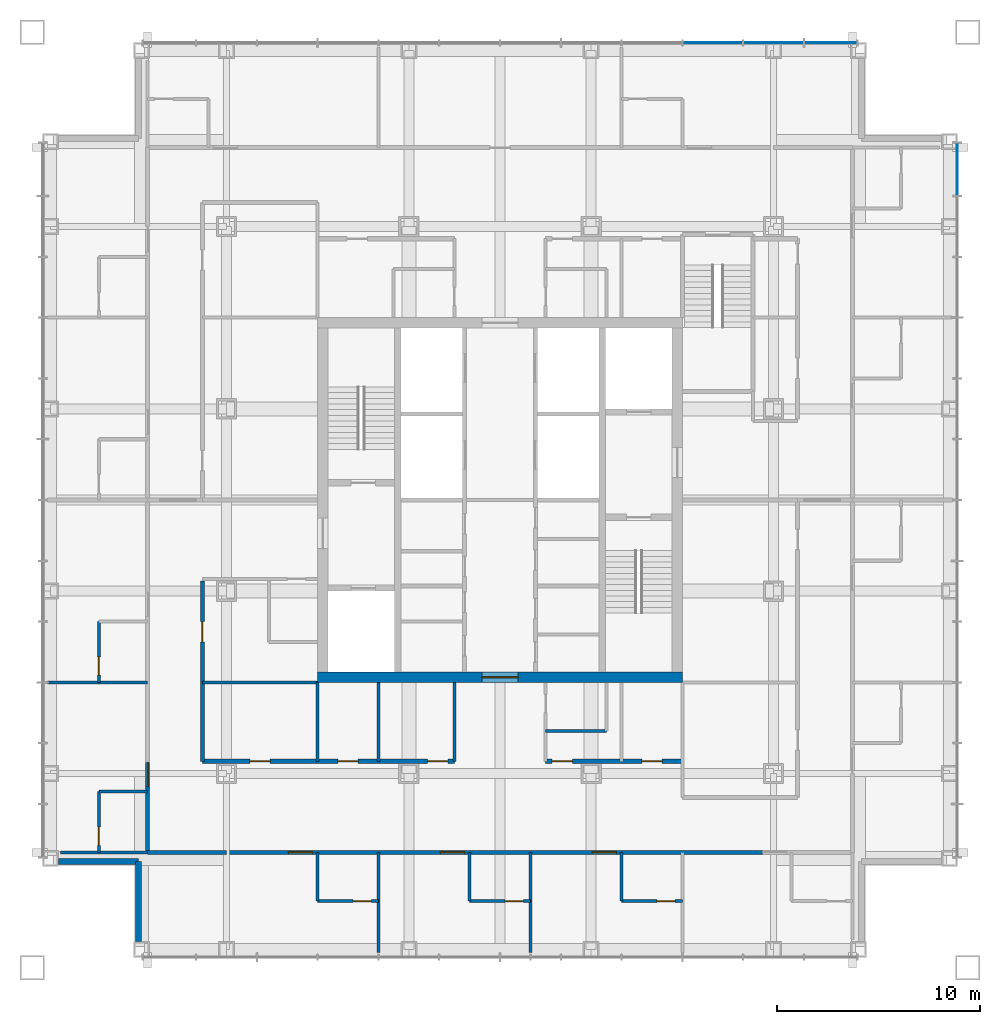
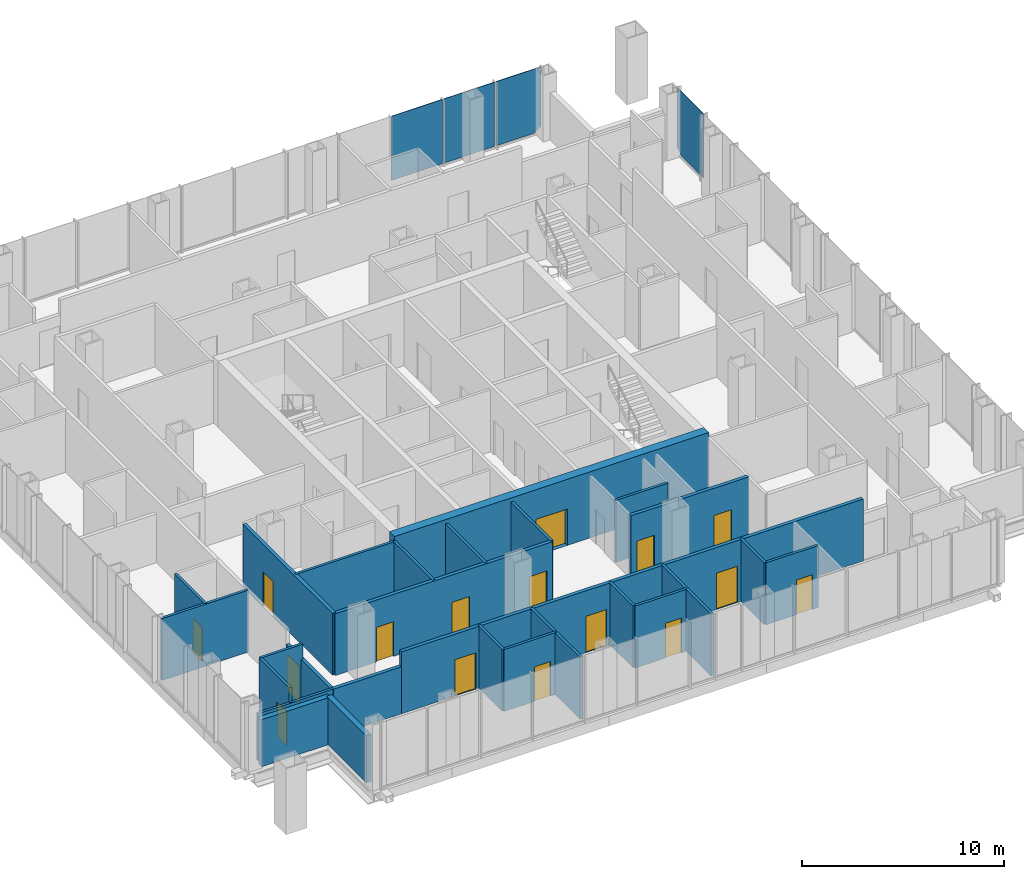
# One storey, part 6 of 11: 27 walls, 16 doors, 4 plates, 16 openings, 2 elements without a shape of their own.
"""IFC4 building model written with IfcOpenShell, lengths in metres."""

import ifcopenshell
import ifcopenshell.guid

model = None  # the IFC model being written
_history = None  # IfcOwnerHistory: only IFC2X3 demands one
_inside = {}  # id of a spatial element -> (the spatial element, [elements in it])
_under = {}  # id of a project, library or spatial element -> (it, [spatial elements below it])
_declared = {}  # id of a project -> (the project, [libraries it declares])
_typed = {}  # id of a type object -> (the type object, [elements of that type])
_made_of = {}  # id of a material, layer set ... -> (it, [elements and type objects made of it])


def new_model(schema):
    """Start an empty IFC model of exactly this schema.

    Asked for "IFC4X3", IfcOpenShell would pick the latest addendum, in which some entities
    have other attributes; the version numbers below select the first issue.
    IFC2X3 requires an IfcOwnerHistory on every rooted entity: one is made here for all.
    """
    global model, _history
    if schema == "IFC4X3":
        model = ifcopenshell.file(schema_version=(4, 3, 0, 0))
    else:
        model = ifcopenshell.file(schema=schema)
    _inside.clear()
    _under.clear()
    _declared.clear()
    _typed.clear()
    _made_of.clear()
    _history = None
    if model.schema == "IFC2X3":
        org = make("IfcOrganization", Name="unknown")
        user = make(
            "IfcPersonAndOrganization",
            ThePerson=make("IfcPerson", FamilyName="unknown"),
            TheOrganization=org,
        )
        app = make(
            "IfcApplication",
            ApplicationDeveloper=org,
            Version="unknown",
            ApplicationFullName="unknown",
            ApplicationIdentifier="unknown",
        )
        _history = make(
            "IfcOwnerHistory",
            OwningUser=user,
            OwningApplication=app,
            ChangeAction="ADDED",
            CreationDate=0,
        )
    return model


def make(cls, **values):
    """One entity of the class cls with the attributes given. An attribute that is None is left unset."""
    return model.create_entity(
        cls, **{name: value for name, value in values.items() if value is not None}
    )


def rooted(cls, **values):
    """An entity with a GlobalId (a new one), such as an element, a storey or a relation."""
    return make(cls, GlobalId=ifcopenshell.guid.new(), OwnerHistory=_history, **values)


def si_unit(unit_type, name, prefix=None):
    """IfcSIUnit, for example si_unit("LENGTHUNIT", "METRE", prefix="MILLI")."""
    return make("IfcSIUnit", UnitType=unit_type, Prefix=prefix, Name=name)


def assignment(units):
    """IfcUnitAssignment: the units of a project."""
    return None if units is None else make("IfcUnitAssignment", Units=units)


def point(xyz):
    """IfcCartesianPoint."""
    return None if xyz is None else make("IfcCartesianPoint", Coordinates=xyz)


def direction(xyz):
    """IfcDirection."""
    return None if xyz is None else make("IfcDirection", DirectionRatios=xyz)


def frame(location, z_axis=None, x_axis=None):
    """IfcAxis2Placement3D, a coordinate frame: its origin and axes. An axis left out is left unset."""
    return make(
        "IfcAxis2Placement3D",
        Location=point(location),
        Axis=direction(z_axis),
        RefDirection=direction(x_axis),
    )


def frame_2d(location, x_axis=None):
    """IfcAxis2Placement2D, a coordinate frame in the plane: its origin and x axis."""
    return make(
        "IfcAxis2Placement2D", Location=point(location), RefDirection=direction(x_axis)
    )


def origin():
    """The frame at (0, 0, 0) with its axes left unset."""
    return frame((0.0, 0.0, 0.0))


def origin_2d():
    """The frame at (0, 0) in the plane with its x axis left unset."""
    return frame_2d((0.0, 0.0))


def place(relative_to, where):
    """IfcLocalPlacement: puts the frame where relative to a parent placement (None: the world)."""
    return make(
        "IfcLocalPlacement", PlacementRelTo=relative_to, RelativePlacement=where
    )


def context(
    kind, dimensions, precision=None, world=None, true_north=None, identifier=None
):
    """IfcGeometricRepresentationContext, for example the 3D "Model" context."""
    return make(
        "IfcGeometricRepresentationContext",
        ContextIdentifier=identifier,
        ContextType=kind,
        CoordinateSpaceDimension=dimensions,
        Precision=precision,
        WorldCoordinateSystem=world,
        TrueNorth=true_north,
    )


def subcontext(parent, identifier, kind, view, scale=None):
    """IfcGeometricRepresentationSubContext, for example "Body" below "Model"."""
    return make(
        "IfcGeometricRepresentationSubContext",
        ContextIdentifier=identifier,
        ContextType=kind,
        ParentContext=parent,
        TargetScale=scale,
        TargetView=view,
    )


def project(units=None, contexts=None):
    """IfcProject with its units and contexts."""
    return rooted(
        "IfcProject",
        Name="project",
        RepresentationContexts=contexts,
        UnitsInContext=assignment(units),
    )


def spatial(cls, under=None, at=None, **own):
    """A site, building, storey or space (cls), placed at a placement, below another one or the project."""
    s = rooted(cls, ObjectPlacement=at, **own)
    if under is not None:
        _under.setdefault(under.id(), (under, []))[1].append(s)
    return s


def polyline(points):
    """IfcPolyline through the points."""
    return make("IfcPolyline", Points=[point(p) for p in points])


def profile(cls, at=None, kind="AREA", **sizes):
    """A parametric profile (cls). Its sizes go by their IFC names, for example OverallWidth=200.0."""
    return make(cls, ProfileType=kind, Position=at, **sizes)


def rectangle(**sizes):
    """IfcRectangleProfileDef."""
    return profile("IfcRectangleProfileDef", **sizes)


def outline(outer, holes=None, kind="AREA"):
    """IfcArbitraryClosedProfileDef: a profile drawn as a closed curve; with holes, ...WithVoids."""
    if holes is None:
        return make("IfcArbitraryClosedProfileDef", ProfileType=kind, OuterCurve=outer)
    return make(
        "IfcArbitraryProfileDefWithVoids",
        ProfileType=kind,
        OuterCurve=outer,
        InnerCurves=holes,
    )


def extrude(swept, where, along, depth):
    """IfcExtrudedAreaSolid: the profile swept, set in the frame where, extruded along a direction by depth."""
    return make(
        "IfcExtrudedAreaSolid",
        SweptArea=swept,
        Position=where,
        ExtrudedDirection=direction(along),
        Depth=depth,
    )


def shape(context_of_items, identifier, shape_type, items):
    """IfcShapeRepresentation: the items that make up one representation, for example the "Body"."""
    return make(
        "IfcShapeRepresentation",
        ContextOfItems=context_of_items,
        RepresentationIdentifier=identifier,
        RepresentationType=shape_type,
        Items=items,
    )


def material(Name=None, Category=None):
    """IfcMaterial."""
    return make("IfcMaterial", Name=Name, Category=Category)


def layer(
    of_material, thickness, ventilated=None, Name=None, Category=None, Priority=None
):
    """IfcMaterialLayer: one layer of a wall or slab, of a material (None: an air gap)."""
    return make(
        "IfcMaterialLayer",
        Material=of_material,
        LayerThickness=thickness,
        IsVentilated=ventilated,
        Name=Name,
        Category=Category,
        Priority=Priority,
    )


def layer_set(layers, Name=None):
    """IfcMaterialLayerSet."""
    return make("IfcMaterialLayerSet", MaterialLayers=layers, LayerSetName=Name)


def made_of(thing, what):
    """Note that an element or type object is made of a material, layer set ...; save() writes the relation."""
    if what is not None:
        _made_of.setdefault(what.id(), (what, []))[1].append(thing)
    return thing


def type_object(cls, material=None, **own):
    """A type object (cls), such as IfcWallType, which elements share."""
    return made_of(rooted(cls, **own), material)


def element(
    cls,
    number,
    at=None,
    inside=None,
    cuts=None,
    type_object=None,
    material=None,
    context=None,
    identifier="Body",
    shape_type=None,
    held_by="IfcProductDefinitionShape",
    body=None,
    shapes=None,
    **own,
):
    """One element of the class cls, such as IfcWall. Its Tag is "e" and its number.

    at: its placement. inside: the storey or other place that contains it. cuts: it is an
    opening in that element (IfcRelVoidsElement). A single representation is given by context,
    identifier, shape_type and body (its items); several are given by shapes. held_by: the class
    of the entity that holds the representations. save() writes the other relations.
    """
    e = rooted(cls, Tag="e%d" % number, ObjectPlacement=at, **own)
    if body is not None:
        shapes = [shape(context, identifier, shape_type, body)]
    if shapes is not None:
        e.Representation = make(held_by, Representations=shapes)
    if inside is not None:
        _inside.setdefault(inside.id(), (inside, []))[1].append(e)
    if cuts is not None:
        rooted(
            "IfcRelVoidsElement", RelatingBuildingElement=cuts, RelatedOpeningElement=e
        )
    if type_object is not None:
        _typed.setdefault(type_object.id(), (type_object, []))[1].append(e)
    return made_of(e, material)


def fill(opening, filler):
    """IfcRelFillsElement: the door or window that sits in an opening."""
    return rooted(
        "IfcRelFillsElement",
        RelatingOpeningElement=opening,
        RelatedBuildingElement=filler,
    )


def aggregate(whole, parts):
    """IfcRelAggregates: a whole, such as a stair, and the parts it consists of."""
    return rooted("IfcRelAggregates", RelatingObject=whole, RelatedObjects=parts)


def save(model, path):
    """Write the relations noted so far, then the file.

    IfcRelAggregates (storeys below a building ...), IfcRelContainedInSpatialStructure (elements
    in a storey), IfcRelDefinesByType, IfcRelAssociatesMaterial and IfcRelDeclares: one each for
    every whole, place, type object, material and project.
    """
    for whole, parts in _under.values():
        aggregate(whole, parts)
    for where, things in _inside.values():
        rooted(
            "IfcRelContainedInSpatialStructure",
            RelatedElements=things,
            RelatingStructure=where,
        )
    for kind, things in _typed.values():
        rooted("IfcRelDefinesByType", RelatedObjects=things, RelatingType=kind)
    for what, things in _made_of.values():
        rooted("IfcRelAssociatesMaterial", RelatedObjects=things, RelatingMaterial=what)
    for by, libraries in _declared.values():
        rooted("IfcRelDeclares", RelatingContext=by, RelatedDefinitions=libraries)
    model.write(path)


model = new_model("IFC4")

# Units and contexts
model_context = context("Model", 3, precision=1e-05, world=origin(), true_north=direction((0.0, 1.0)))
body_context = subcontext(model_context, "Body", "Model", "MODEL_VIEW")
ifc_project = project(units=[si_unit("LENGTHUNIT", "METRE"), si_unit("AREAUNIT", "SQUARE_METRE"), si_unit("VOLUMEUNIT", "CUBIC_METRE"), si_unit("PLANEANGLEUNIT", "RADIAN"), si_unit("MASSUNIT", "GRAM", prefix="KILO")], contexts=[model_context])

# Site, building, storey
site_placement = place(None, origin())
site = spatial("IfcSite", under=ifc_project, at=site_placement, CompositionType="ELEMENT")
building_placement = place(site_placement, origin())
building = spatial("IfcBuilding", under=site, at=building_placement, Name="Malebo Sky Hospital", CompositionType="ELEMENT")
storey_placement = place(building_placement, frame((0.0, 0.0, 205.0)))
storey = spatial("IfcBuildingStorey", under=building, at=storey_placement, Name="L49", CompositionType="ELEMENT", Elevation=205.0)

# Curtain wall, plates
ifc_material_1 = material(Name="Anodised aluminium, natural silver", Category="aluminium")
ifc_layer_1 = layer(ifc_material_1, 0.25)
ifc_layer_set_1 = layer_set([ifc_layer_1], Name="WARD CURTAIN WALL NORTH AND SOUTH")
curtain_wall_type_1 = type_object("IfcCurtainWallType", Name="WARD CURTAIN WALL NORTH AND SOUTH", PredefinedType="NOTDEFINED", material=ifc_layer_set_1)
curtain_wall_1_placement = place(storey_placement, origin())
curtain_wall_1 = element("IfcCurtainWall", 1, at=curtain_wall_1_placement, inside=storey, type_object=curtain_wall_type_1, Name="NS curtain wall N", PredefinedType="NOTDEFINED")
ifc_material_2 = material(Name="Clear low-iron double glazing", Category="glass")
ifc_layer_2 = layer(ifc_material_2, 0.031982421875)
ifc_layer_set_2 = layer_set([ifc_layer_2], Name="VISION PANEL CLEAR 32")
plate_type = type_object("IfcPlateType", Name="VISION PANEL CLEAR 32", PredefinedType="CURTAIN_PANEL", material=ifc_layer_set_2)
plate_1_placement = place(storey_placement, frame((70.5, 84.574951171875, 0.10009765625), z_axis=(0.0, 0.0, 1.0), x_axis=(1.0, 0.0, 0.0)))
plate_1 = element("IfcPlate", 2, at=plate_1_placement, type_object=plate_type, Name="Panel 10", PredefinedType="CURTAIN_PANEL", context=body_context, shape_type="SweptSolid", body=[
    extrude(rectangle(XDim=2.925048828125, YDim=0.031982421875, at=origin_2d()), origin(), (0.0, 0.0, 1.0), 3.889892578125),
])
plate_2_placement = place(storey_placement, frame((73.5, 84.574951171875, 0.10009765625), z_axis=(0.0, 0.0, 1.0), x_axis=(1.0, 0.0, 0.0)))
plate_2 = element("IfcPlate", 3, at=plate_2_placement, type_object=plate_type, Name="Panel 11", PredefinedType="CURTAIN_PANEL", context=body_context, shape_type="SweptSolid", body=[
    extrude(rectangle(XDim=2.925048828125, YDim=0.031982421875, at=origin_2d()), origin(), (0.0, 0.0, 1.0), 3.889892578125),
])
plate_3_placement = place(storey_placement, frame((76.331298828125, 84.574951171875, 0.10009765625), z_axis=(0.0, 0.0, 1.0), x_axis=(1.0, 0.0, 0.0)))
plate_3 = element("IfcPlate", 4, at=plate_3_placement, type_object=plate_type, Name="Panel 12", PredefinedType="CURTAIN_PANEL", context=body_context, shape_type="SweptSolid", body=[
    extrude(outline(polyline([(-1.293701171875, 0.0), (0.871337890625, 0.0), (1.293701171875, 0.296630859375), (1.293701171875, 3.889892578125), (-1.293701171875, 3.889892578125), (-1.293701171875, 0.0)])), frame((0.0, 0.01611328125, 0.0), z_axis=(0.0, -1.0, 0.0), x_axis=(1.0, 0.0, 0.0)), (0.0, 0.0, 1.0), 0.031982421875),
])
aggregate(curtain_wall_1, [plate_1, plate_2, plate_3])

# Curtain wall, plate
ifc_layer_3 = layer(ifc_material_1, 0.25)
ifc_layer_set_3 = layer_set([ifc_layer_3], Name="WARD CURTAIN WALL EAST AND WEST")
curtain_wall_type_2 = type_object("IfcCurtainWallType", Name="WARD CURTAIN WALL EAST AND WEST", PredefinedType="NOTDEFINED", material=ifc_layer_set_3)
curtain_wall_2_placement = place(storey_placement, origin())
curtain_wall_2 = element("IfcCurtainWall", 5, at=curtain_wall_2_placement, inside=storey, type_object=curtain_wall_type_2, Name="EW curtain wall E", PredefinedType="NOTDEFINED")
plate_4_placement = place(storey_placement, frame((82.574951171875, 78.331298828125, 0.10009765625), z_axis=(0.0, 0.0, 1.0), x_axis=(0.0, -1.0, 0.0)))
plate_4 = element("IfcPlate", 6, at=plate_4_placement, type_object=plate_type, Name="Panel 1", PredefinedType="CURTAIN_PANEL", context=body_context, shape_type="SweptSolid", body=[
    extrude(outline(polyline([(-0.871337890625, 0.0), (1.293701171875, 0.0), (1.293701171875, 3.889892578125), (-1.293701171875, 3.889892578125), (-1.293701171875, 0.296630859375), (-0.871337890625, 0.0)])), frame((0.0, 0.01611328125, 0.0), z_axis=(0.0, -1.0, 0.0), x_axis=(1.0, 0.0, 0.0)), (0.0, 0.0, 1.0), 0.031982421875),
])
aggregate(curtain_wall_2, [plate_4])

# Wall, opening, door
ifc_material_3 = material(Name="Concrete C80/95", Category="concrete")
ifc_layer_4 = layer(ifc_material_3, 0.5)
ifc_layer_set_4 = layer_set([ifc_layer_4], Name="CORE WALL 500")
wall_type_1 = type_object("IfcWallType", Name="CORE WALL 500", PredefinedType="SHEAR", material=ifc_layer_set_4)
wall_1_placement = place(storey_placement, frame((51.0, 53.25, 0.0), z_axis=(0.0, 0.0, 1.0), x_axis=(1.0, 0.0, 0.0)))
wall_1 = element("IfcWall", 7, at=wall_1_placement, inside=storey, type_object=wall_type_1, Name="Core wall S L49", PredefinedType="SHEAR", context=body_context, shape_type="SweptSolid", body=[
    extrude(rectangle(XDim=18.0, YDim=0.5, at=frame_2d((9.0, 0.0))), origin(), (0.0, 0.0, 1.0), 4.0),
])
opening_1_placement = place(wall_1_placement, frame((8.10009765625, 0.0, 0.0)))
opening_1 = element("IfcOpeningElement", 8, at=opening_1_placement, cuts=wall_1, Name="Opening D06", PredefinedType="OPENING", context=body_context, shape_type="SweptSolid", body=[
    extrude(rectangle(XDim=1.800048828125, YDim=2.199951171875, at=frame_2d((0.89990234375, 1.10009765625))), frame((0.0, 0.260009765625, 0.0), z_axis=(0.0, -1.0, 0.0), x_axis=(1.0, 0.0, 0.0)), (0.0, 0.0, 1.0), 0.52001953125),
])
ifc_material_4 = material(Name="Hardwood-faced door leaf in steel frame", Category="steel")
door_type_1 = type_object("IfcDoorType", Name="LOBBY DOOR PAIR 1800", OperationType="DOUBLE_DOOR_SINGLE_SWING", PredefinedType="DOOR", material=ifc_material_4)
door_1_placement = place(opening_1_placement, origin())
door_1 = element("IfcDoor", 9, at=door_1_placement, inside=storey, type_object=door_type_1, Name="Service lobby door south", OperationType="DOUBLE_DOOR_SINGLE_SWING", OverallHeight=2.199951171875, OverallWidth=1.800048828125, PredefinedType="DOOR", context=body_context, shape_type="SweptSolid", body=[
    extrude(rectangle(XDim=1.800048828125, YDim=2.199951171875, at=frame_2d((0.89990234375, 1.10009765625))), frame((0.0, 0.02490234375, 0.0), z_axis=(0.0, -1.0, 0.0), x_axis=(1.0, 0.0, 0.0)), (0.0, 0.0, 1.0), 0.050048828125),
])
fill(opening_1, door_1)

ifc_material_5 = material(Name="Gypsum board on steel studs", Category="steel")
ifc_layer_5 = layer(ifc_material_5, 0.199951171875)
ifc_layer_set_5 = layer_set([ifc_layer_5], Name="CORRIDOR WALL 200")
wall_type_2 = type_object("IfcWallType", Name="CORRIDOR WALL 200", PredefinedType="PARTITIONING", material=ifc_layer_set_5)
wall_2_placement = place(storey_placement, frame((42.60009765625, 44.60009765625, 0.0), z_axis=(0.0, 0.0, 1.0), x_axis=(0.0, 1.0, 0.0)))
wall_2 = element("IfcWall", 10, at=wall_2_placement, inside=storey, type_object=wall_type_2, Name="Corridor Wall 200 WCO", PredefinedType="PARTITIONING", context=body_context, shape_type="SweptSolid", body=[
    extrude(rectangle(XDim=4.449951171875, YDim=0.199951171875, at=frame_2d((2.22509765625, 0.0))), origin(), (0.0, 0.0, 1.0), 2.85009765625),
])
opening_2_placement = place(wall_2_placement, frame((3.25, 0.0, 0.0)))
opening_2 = element("IfcOpeningElement", 11, at=opening_2_placement, cuts=wall_2, Name="Opening D01", PredefinedType="OPENING", context=body_context, shape_type="SweptSolid", body=[
    extrude(rectangle(XDim=1.199951171875, YDim=2.199951171875, at=frame_2d((0.60009765625, 1.10009765625))), frame((0.0, 0.10986328125, 0.0), z_axis=(0.0, -1.0, 0.0), x_axis=(1.0, 0.0, 0.0)), (0.0, 0.0, 1.0), 0.219970703125),
])
door_type_2 = type_object("IfcDoorType", Name="BED DOOR 1200", OperationType="SINGLE_SWING_LEFT", PredefinedType="DOOR", material=ifc_material_4)
door_2_placement = place(opening_2_placement, origin())
door_2 = element("IfcDoor", 12, at=door_2_placement, inside=storey, type_object=door_type_2, Name="Birthing room door", OperationType="SINGLE_SWING_LEFT", OverallHeight=2.199951171875, OverallWidth=1.199951171875, PredefinedType="DOOR", context=body_context, shape_type="SweptSolid", body=[
    extrude(rectangle(XDim=1.199951171875, YDim=2.199951171875, at=frame_2d((0.60009765625, 1.10009765625))), frame((0.0, 0.02490234375, 0.0), z_axis=(0.0, -1.0, 0.0), x_axis=(1.0, 0.0, 0.0)), (0.0, 0.0, 1.0), 0.050048828125),
])
fill(opening_2, door_2)

wall_3_placement = place(storey_placement, frame((45.300048828125, 49.10009765625, 0.0), z_axis=(0.0, 0.0, 1.0), x_axis=(0.0, 1.0, 0.0)))
wall_3 = element("IfcWall", 13, at=wall_3_placement, inside=storey, type_object=wall_type_2, Name="Corridor Wall 200 WCI1", PredefinedType="PARTITIONING", context=body_context, shape_type="SweptSolid", body=[
    extrude(rectangle(XDim=8.89990234375, YDim=0.199951171875, at=frame_2d((4.449951171875, 0.0))), origin(), (0.0, 0.0, 1.0), 3.75),
])
opening_3_placement = place(wall_3_placement, frame((5.89990234375, 0.0, 0.0)))
opening_3 = element("IfcOpeningElement", 14, at=opening_3_placement, cuts=wall_3, Name="Opening D03", PredefinedType="OPENING", context=body_context, shape_type="SweptSolid", body=[
    extrude(rectangle(XDim=1.0, YDim=2.10009765625, at=frame_2d((0.5, 1.050048828125))), frame((0.0, 0.10986328125, 0.0), z_axis=(0.0, -1.0, 0.0), x_axis=(1.0, 0.0, 0.0)), (0.0, 0.0, 1.0), 0.219970703125),
])
door_type_3 = type_object("IfcDoorType", Name="ROOM DOOR 1000", OperationType="SINGLE_SWING_LEFT", PredefinedType="DOOR", material=ifc_material_4)
door_3_placement = place(opening_3_placement, origin())
door_3 = element("IfcDoor", 15, at=door_3_placement, inside=storey, type_object=door_type_3, Name="Clean utility room door", OperationType="SINGLE_SWING_LEFT", OverallHeight=2.10009765625, OverallWidth=1.0, PredefinedType="DOOR", context=body_context, shape_type="SweptSolid", body=[
    extrude(rectangle(XDim=1.0, YDim=2.10009765625, at=frame_2d((0.5, 1.050048828125))), frame((0.0, 0.02490234375, 0.0), z_axis=(0.0, -1.0, 0.0), x_axis=(1.0, 0.0, 0.0)), (0.0, 0.0, 1.0), 0.050048828125),
])
fill(opening_3, door_3)

# Wall, openings, doors
wall_4_placement = place(storey_placement, frame((72.949951171875, 44.60009765625, 0.0), z_axis=(0.0, 0.0, 1.0), x_axis=(-1.0, 0.0, 0.0)))
wall_4 = element("IfcWall", 16, at=wall_4_placement, inside=storey, type_object=wall_type_2, Name="Corridor Wall 200 SCO", PredefinedType="PARTITIONING", context=body_context, shape_type="SweptSolid", body=[
    extrude(rectangle(XDim=26.449951171875, YDim=0.199951171875, at=frame_2d((13.22509765625, 0.0))), origin(), (0.0, 0.0, 1.0), 3.75),
])
opening_4_placement = place(wall_4_placement, frame((7.199951171875, 0.0, 0.0)))
opening_4 = element("IfcOpeningElement", 17, at=opening_4_placement, cuts=wall_4, Name="Opening D01", PredefinedType="OPENING", context=body_context, shape_type="SweptSolid", body=[
    extrude(rectangle(XDim=1.199951171875, YDim=2.199951171875, at=frame_2d((0.60009765625, 1.10009765625))), frame((0.0, 0.10986328125, 0.0), z_axis=(0.0, -1.0, 0.0), x_axis=(1.0, 0.0, 0.0)), (0.0, 0.0, 1.0), 0.219970703125),
])
opening_5_placement = place(wall_4_placement, frame((14.699951171875, 0.0, 0.0)))
opening_5 = element("IfcOpeningElement", 18, at=opening_5_placement, cuts=wall_4, Name="Opening D01", PredefinedType="OPENING", context=body_context, shape_type="SweptSolid", body=[
    extrude(rectangle(XDim=1.199951171875, YDim=2.199951171875, at=frame_2d((0.60009765625, 1.10009765625))), frame((0.0, 0.10986328125, 0.0), z_axis=(0.0, -1.0, 0.0), x_axis=(1.0, 0.0, 0.0)), (0.0, 0.0, 1.0), 0.219970703125),
])
opening_6_placement = place(wall_4_placement, frame((22.199951171875, 0.0, 0.0)))
opening_6 = element("IfcOpeningElement", 19, at=opening_6_placement, cuts=wall_4, Name="Opening D01", PredefinedType="OPENING", context=body_context, shape_type="SweptSolid", body=[
    extrude(rectangle(XDim=1.199951171875, YDim=2.199951171875, at=frame_2d((0.60009765625, 1.10009765625))), frame((0.0, 0.10986328125, 0.0), z_axis=(0.0, -1.0, 0.0), x_axis=(1.0, 0.0, 0.0)), (0.0, 0.0, 1.0), 0.219970703125),
])
door_4_placement = place(opening_4_placement, origin())
door_4 = element("IfcDoor", 20, at=door_4_placement, inside=storey, type_object=door_type_2, Name="Birthing room door", OperationType="SINGLE_SWING_LEFT", OverallHeight=2.199951171875, OverallWidth=1.199951171875, PredefinedType="DOOR", context=body_context, shape_type="SweptSolid", body=[
    extrude(rectangle(XDim=1.199951171875, YDim=2.199951171875, at=frame_2d((0.60009765625, 1.10009765625))), frame((0.0, 0.02490234375, 0.0), z_axis=(0.0, -1.0, 0.0), x_axis=(1.0, 0.0, 0.0)), (0.0, 0.0, 1.0), 0.050048828125),
])
fill(opening_4, door_4)
door_5_placement = place(opening_5_placement, origin())
door_5 = element("IfcDoor", 21, at=door_5_placement, inside=storey, type_object=door_type_2, Name="Birthing room door", OperationType="SINGLE_SWING_LEFT", OverallHeight=2.199951171875, OverallWidth=1.199951171875, PredefinedType="DOOR", context=body_context, shape_type="SweptSolid", body=[
    extrude(rectangle(XDim=1.199951171875, YDim=2.199951171875, at=frame_2d((0.60009765625, 1.10009765625))), frame((0.0, 0.02490234375, 0.0), z_axis=(0.0, -1.0, 0.0), x_axis=(1.0, 0.0, 0.0)), (0.0, 0.0, 1.0), 0.050048828125),
])
fill(opening_5, door_5)
door_6_placement = place(opening_6_placement, origin())
door_6 = element("IfcDoor", 22, at=door_6_placement, inside=storey, type_object=door_type_2, Name="Birthing room door", OperationType="SINGLE_SWING_LEFT", OverallHeight=2.199951171875, OverallWidth=1.199951171875, PredefinedType="DOOR", context=body_context, shape_type="SweptSolid", body=[
    extrude(rectangle(XDim=1.199951171875, YDim=2.199951171875, at=frame_2d((0.60009765625, 1.10009765625))), frame((0.0, 0.02490234375, 0.0), z_axis=(0.0, -1.0, 0.0), x_axis=(1.0, 0.0, 0.0)), (0.0, 0.0, 1.0), 0.050048828125),
])
fill(opening_6, door_6)

# Wall
wall_5_placement = place(storey_placement, frame((46.5, 44.60009765625, 0.0), z_axis=(0.0, 0.0, 1.0), x_axis=(-1.0, 0.0, 0.0)))
element("IfcWall", 23, at=wall_5_placement, inside=storey, type_object=wall_type_2, Name="Corridor Wall 200 SCO", PredefinedType="PARTITIONING", context=body_context, shape_type="SweptSolid", body=[
    extrude(rectangle(XDim=3.89990234375, YDim=0.199951171875, at=frame_2d((1.949951171875, 0.0))), origin(), (0.0, 0.0, 1.0), 2.85009765625),
])

# Wall, openings, doors
wall_6_placement = place(storey_placement, frame((69.0, 49.10009765625, 0.0), z_axis=(0.0, 0.0, 1.0), x_axis=(-1.0, 0.0, 0.0)))
wall_6 = element("IfcWall", 24, at=wall_6_placement, inside=storey, type_object=wall_type_2, Name="Corridor Wall 200 SCI1", PredefinedType="PARTITIONING", context=body_context, shape_type="SweptSolid", body=[
    extrude(rectangle(XDim=6.75, YDim=0.199951171875, at=frame_2d((3.375, 0.0))), origin(), (0.0, 0.0, 1.0), 3.75),
])
opening_7_placement = place(wall_6_placement, frame((1.0, 0.0, 0.0)))
opening_7 = element("IfcOpeningElement", 25, at=opening_7_placement, cuts=wall_6, Name="Opening D03", PredefinedType="OPENING", context=body_context, shape_type="SweptSolid", body=[
    extrude(rectangle(XDim=1.0, YDim=2.10009765625, at=frame_2d((0.5, 1.050048828125))), frame((0.0, 0.10986328125, 0.0), z_axis=(0.0, -1.0, 0.0), x_axis=(1.0, 0.0, 0.0)), (0.0, 0.0, 1.0), 0.219970703125),
])
opening_8_placement = place(wall_6_placement, frame((5.425048828125, 0.0, 0.0)))
opening_8 = element("IfcOpeningElement", 26, at=opening_8_placement, cuts=wall_6, Name="Opening D03", PredefinedType="OPENING", context=body_context, shape_type="SweptSolid", body=[
    extrude(rectangle(XDim=1.0, YDim=2.10009765625, at=frame_2d((0.5, 1.050048828125))), frame((0.0, 0.10986328125, 0.0), z_axis=(0.0, -1.0, 0.0), x_axis=(1.0, 0.0, 0.0)), (0.0, 0.0, 1.0), 0.219970703125),
])
door_7_placement = place(opening_7_placement, origin())
door_7 = element("IfcDoor", 27, at=door_7_placement, inside=storey, type_object=door_type_3, Name="Ward office door", OperationType="SINGLE_SWING_LEFT", OverallHeight=2.10009765625, OverallWidth=1.0, PredefinedType="DOOR", context=body_context, shape_type="SweptSolid", body=[
    extrude(rectangle(XDim=1.0, YDim=2.10009765625, at=frame_2d((0.5, 1.050048828125))), frame((0.0, 0.02490234375, 0.0), z_axis=(0.0, -1.0, 0.0), x_axis=(1.0, 0.0, 0.0)), (0.0, 0.0, 1.0), 0.050048828125),
])
fill(opening_7, door_7)
door_8_placement = place(opening_8_placement, origin())
door_8 = element("IfcDoor", 28, at=door_8_placement, inside=storey, type_object=door_type_3, Name="Linen store door", OperationType="SINGLE_SWING_RIGHT", OverallHeight=2.10009765625, OverallWidth=1.0, PredefinedType="DOOR", context=body_context, shape_type="SweptSolid", body=[
    extrude(rectangle(XDim=1.0, YDim=2.10009765625, at=frame_2d((0.5, 1.050048828125))), frame((0.0, 0.02490234375, 0.0), z_axis=(0.0, -1.0, 0.0), x_axis=(1.0, 0.0, 0.0)), (0.0, 0.0, 1.0), 0.050048828125),
])
fill(opening_8, door_8)

wall_7_placement = place(storey_placement, frame((57.75, 49.10009765625, 0.0), z_axis=(0.0, 0.0, 1.0), x_axis=(-1.0, 0.0, 0.0)))
wall_7 = element("IfcWall", 29, at=wall_7_placement, inside=storey, type_object=wall_type_2, Name="Corridor Wall 200 SCI2", PredefinedType="PARTITIONING", context=body_context, shape_type="SweptSolid", body=[
    extrude(rectangle(XDim=12.449951171875, YDim=0.199951171875, at=frame_2d((6.22509765625, 0.0))), origin(), (0.0, 0.0, 1.0), 3.75),
])
opening_9_placement = place(wall_7_placement, frame((0.324951171875, 0.0, 0.0)))
opening_9 = element("IfcOpeningElement", 30, at=opening_9_placement, cuts=wall_7, Name="Opening D03", PredefinedType="OPENING", context=body_context, shape_type="SweptSolid", body=[
    extrude(rectangle(XDim=1.0, YDim=2.10009765625, at=frame_2d((0.5, 1.050048828125))), frame((0.0, 0.10986328125, 0.0), z_axis=(0.0, -1.0, 0.0), x_axis=(1.0, 0.0, 0.0)), (0.0, 0.0, 1.0), 0.219970703125),
])
opening_10_placement = place(wall_7_placement, frame((4.75, 0.0, 0.0)))
opening_10 = element("IfcOpeningElement", 31, at=opening_10_placement, cuts=wall_7, Name="Opening D03", PredefinedType="OPENING", context=body_context, shape_type="SweptSolid", body=[
    extrude(rectangle(XDim=1.0, YDim=2.10009765625, at=frame_2d((0.5, 1.050048828125))), frame((0.0, 0.10986328125, 0.0), z_axis=(0.0, -1.0, 0.0), x_axis=(1.0, 0.0, 0.0)), (0.0, 0.0, 1.0), 0.219970703125),
])
opening_11_placement = place(wall_7_placement, frame((9.10009765625, 0.0, 0.0)))
opening_11 = element("IfcOpeningElement", 32, at=opening_11_placement, cuts=wall_7, Name="Opening D03", PredefinedType="OPENING", context=body_context, shape_type="SweptSolid", body=[
    extrude(rectangle(XDim=1.0, YDim=2.10009765625, at=frame_2d((0.5, 1.050048828125))), frame((0.0, 0.10986328125, 0.0), z_axis=(0.0, -1.0, 0.0), x_axis=(1.0, 0.0, 0.0)), (0.0, 0.0, 1.0), 0.219970703125),
])
door_9_placement = place(opening_9_placement, origin())
door_9 = element("IfcDoor", 33, at=door_9_placement, inside=storey, type_object=door_type_3, Name="Ward pantry door", OperationType="SINGLE_SWING_LEFT", OverallHeight=2.10009765625, OverallWidth=1.0, PredefinedType="DOOR", context=body_context, shape_type="SweptSolid", body=[
    extrude(rectangle(XDim=1.0, YDim=2.10009765625, at=frame_2d((0.5, 1.050048828125))), frame((0.0, 0.02490234375, 0.0), z_axis=(0.0, -1.0, 0.0), x_axis=(1.0, 0.0, 0.0)), (0.0, 0.0, 1.0), 0.050048828125),
])
fill(opening_9, door_9)
door_10_placement = place(opening_10_placement, origin())
door_10 = element("IfcDoor", 34, at=door_10_placement, inside=storey, type_object=door_type_3, Name="Equipment store door", OperationType="SINGLE_SWING_LEFT", OverallHeight=2.10009765625, OverallWidth=1.0, PredefinedType="DOOR", context=body_context, shape_type="SweptSolid", body=[
    extrude(rectangle(XDim=1.0, YDim=2.10009765625, at=frame_2d((0.5, 1.050048828125))), frame((0.0, 0.02490234375, 0.0), z_axis=(0.0, -1.0, 0.0), x_axis=(1.0, 0.0, 0.0)), (0.0, 0.0, 1.0), 0.050048828125),
])
fill(opening_10, door_10)
door_11_placement = place(opening_11_placement, origin())
door_11 = element("IfcDoor", 35, at=door_11_placement, inside=storey, type_object=door_type_3, Name="Birthing pool store door", OperationType="SINGLE_SWING_RIGHT", OverallHeight=2.10009765625, OverallWidth=1.0, PredefinedType="DOOR", context=body_context, shape_type="SweptSolid", body=[
    extrude(rectangle(XDim=1.0, YDim=2.10009765625, at=frame_2d((0.5, 1.050048828125))), frame((0.0, 0.02490234375, 0.0), z_axis=(0.0, -1.0, 0.0), x_axis=(1.0, 0.0, 0.0)), (0.0, 0.0, 1.0), 0.050048828125),
])
fill(opening_11, door_11)

# Walls
ifc_material_6 = material(Name="Anodised aluminium rainscreen on steel framing", Category="steel")
ifc_layer_6 = layer(ifc_material_6, 0.300048828125)
ifc_layer_set_6 = layer_set([ifc_layer_6], Name="NOTCH RAINSCREEN WALL 300")
wall_type_3 = type_object("IfcWallType", Name="NOTCH RAINSCREEN WALL 300", PredefinedType="ELEMENTEDWALL", material=ifc_layer_set_6)
for number, where, z_axis, x_axis, name in (
    (36, (42.14990234375, 40.199951171875, 0.0), (0.0, 0.0, 1.0), (0.0, 1.0, 0.0), "Notch rainscreen wall S1 L49"),
    (37, (42.14990234375, 44.14990234375, 0.0), (0.0, 0.0, 1.0), (-1.0, 0.0, 0.0), "Notch rainscreen wall S2 L49"),
):
    element("IfcWall", number, at=place(storey_placement, frame(where, z_axis=z_axis, x_axis=x_axis)), inside=storey, type_object=wall_type_3, Name=name, PredefinedType="ELEMENTEDWALL", context=body_context, shape_type="SweptSolid", body=[
        extrude(rectangle(XDim=3.949951171875, YDim=0.300048828125, at=frame_2d((1.97509765625, 0.0))), origin(), (0.0, 0.0, 1.0), 2.85009765625),
    ])
ifc_layer_7 = layer(ifc_material_5, 0.14990234375)
ifc_layer_set_7 = layer_set([ifc_layer_7], Name="PARTITION 150")
wall_type_4 = type_object("IfcWallType", Name="PARTITION 150", PredefinedType="PARTITIONING", material=ifc_layer_set_7)
wall_8_placement = place(storey_placement, frame((42.60009765625, 53.0, 0.0), z_axis=(0.0, 0.0, 1.0), x_axis=(-1.0, 0.0, 0.0)))
element("IfcWall", 38, at=wall_8_placement, inside=storey, type_object=wall_type_4, Name="Partition 150 WP-9.0", PredefinedType="PARTITIONING", context=body_context, shape_type="SweptSolid", body=[
    extrude(rectangle(XDim=4.9501953125, YDim=0.14990234375, at=frame_2d((2.47509765625, 0.0))), origin(), (0.0, 0.0, 1.0), 3.75),
])
wall_9_placement = place(storey_placement, frame((42.60009765625, 44.60009765625, 0.0), z_axis=(0.0, 0.0, 1.0), x_axis=(-1.0, 0.0, 0.0)))
element("IfcWall", 39, at=wall_9_placement, inside=storey, type_object=wall_type_4, Name="Partition 150 WP0", PredefinedType="PARTITIONING", context=body_context, shape_type="SweptSolid", body=[
    extrude(rectangle(XDim=4.300048828125, YDim=0.14990234375, at=frame_2d((2.14990234375, 0.0))), origin(), (0.0, 0.0, 1.0), 2.85009765625),
])

# Wall, opening, door
wall_10_placement = place(storey_placement, frame((40.199951171875, 44.60009765625, 0.0), z_axis=(0.0, 0.0, 1.0), x_axis=(0.0, 1.0, 0.0)))
wall_10 = element("IfcWall", 40, at=wall_10_placement, inside=storey, type_object=wall_type_4, Name="Partition 150 WE0F", PredefinedType="PARTITIONING", context=body_context, shape_type="SweptSolid", body=[
    extrude(rectangle(XDim=3.0, YDim=0.14990234375, at=frame_2d((1.5, 0.0))), origin(), (0.0, 0.0, 1.0), 3.75),
])
opening_12_placement = place(wall_10_placement, frame((0.35009765625, 0.0, 0.0)))
opening_12 = element("IfcOpeningElement", 41, at=opening_12_placement, cuts=wall_10, Name="Opening D02", PredefinedType="OPENING", context=body_context, shape_type="SweptSolid", body=[
    extrude(rectangle(XDim=0.89990234375, YDim=2.10009765625, at=frame_2d((0.449951171875, 1.050048828125))), frame((0.0, 0.0849609375, 0.0), z_axis=(0.0, -1.0, 0.0), x_axis=(1.0, 0.0, 0.0)), (0.0, 0.0, 1.0), 0.169921875),
])
door_type_4 = type_object("IfcDoorType", Name="EN-SUITE DOOR 900", OperationType="SINGLE_SWING_LEFT", PredefinedType="DOOR", material=ifc_material_4)
door_12_placement = place(opening_12_placement, origin())
door_12 = element("IfcDoor", 42, at=door_12_placement, inside=storey, type_object=door_type_4, Name="En-suite door", OperationType="SINGLE_SWING_LEFT", OverallHeight=2.10009765625, OverallWidth=0.89990234375, PredefinedType="DOOR", context=body_context, shape_type="SweptSolid", body=[
    extrude(rectangle(XDim=0.89990234375, YDim=2.10009765625, at=frame_2d((0.449951171875, 1.050048828125))), frame((0.0, 0.02490234375, 0.0), z_axis=(0.0, -1.0, 0.0), x_axis=(1.0, 0.0, 0.0)), (0.0, 0.0, 1.0), 0.050048828125),
])
fill(opening_12, door_12)

# Wall
wall_11_placement = place(storey_placement, frame((42.60009765625, 47.60009765625, 0.0), z_axis=(0.0, 0.0, 1.0), x_axis=(-1.0, 0.0, 0.0)))
element("IfcWall", 43, at=wall_11_placement, inside=storey, type_object=wall_type_4, Name="Partition 150 WE0S", PredefinedType="PARTITIONING", context=body_context, shape_type="SweptSolid", body=[
    extrude(rectangle(XDim=2.400146484375, YDim=0.14990234375, at=frame_2d((1.2001953125, 0.0))), origin(), (0.0, 0.0, 1.0), 3.75),
])

# Wall, opening, door
wall_12_placement = place(storey_placement, frame((40.199951171875, 53.0, 0.0), z_axis=(0.0, 0.0, 1.0), x_axis=(0.0, 1.0, 0.0)))
wall_12 = element("IfcWall", 44, at=wall_12_placement, inside=storey, type_object=wall_type_4, Name="Partition 150 WE1F", PredefinedType="PARTITIONING", context=body_context, shape_type="SweptSolid", body=[
    extrude(rectangle(XDim=3.0, YDim=0.14990234375, at=frame_2d((1.5, 0.0))), origin(), (0.0, 0.0, 1.0), 3.75),
])
opening_13_placement = place(wall_12_placement, frame((0.35009765625, 0.0, 0.0)))
opening_13 = element("IfcOpeningElement", 45, at=opening_13_placement, cuts=wall_12, Name="Opening D02", PredefinedType="OPENING", context=body_context, shape_type="SweptSolid", body=[
    extrude(rectangle(XDim=0.89990234375, YDim=2.10009765625, at=frame_2d((0.449951171875, 1.050048828125))), frame((0.0, 0.0849609375, 0.0), z_axis=(0.0, -1.0, 0.0), x_axis=(1.0, 0.0, 0.0)), (0.0, 0.0, 1.0), 0.169921875),
])
door_13_placement = place(opening_13_placement, origin())
door_13 = element("IfcDoor", 46, at=door_13_placement, inside=storey, type_object=door_type_4, Name="En-suite door", OperationType="SINGLE_SWING_LEFT", OverallHeight=2.10009765625, OverallWidth=0.89990234375, PredefinedType="DOOR", context=body_context, shape_type="SweptSolid", body=[
    extrude(rectangle(XDim=0.89990234375, YDim=2.10009765625, at=frame_2d((0.449951171875, 1.050048828125))), frame((0.0, 0.02490234375, 0.0), z_axis=(0.0, -1.0, 0.0), x_axis=(1.0, 0.0, 0.0)), (0.0, 0.0, 1.0), 0.050048828125),
])
fill(opening_13, door_13)

# Walls
wall_13_placement = place(storey_placement, frame((51.0, 53.0, 0.0), z_axis=(0.0, 0.0, 1.0), x_axis=(-1.0, 0.0, 0.0)))
element("IfcWall", 47, at=wall_13_placement, inside=storey, type_object=wall_type_4, Name="Partition 150 WSP0", PredefinedType="PARTITIONING", context=body_context, shape_type="SweptSolid", body=[
    extrude(rectangle(XDim=5.699951171875, YDim=0.14990234375, at=frame_2d((2.85009765625, 0.0))), origin(), (0.0, 0.0, 1.0), 3.75),
])
for number, where, z_axis, x_axis, name in (
    (48, (61.5, 44.60009765625, 0.0), (0.0, 0.0, 1.0), (0.0, -1.0, 0.0), "Partition 150 SP-1.5"),
    (49, (54.0, 44.60009765625, 0.0), (0.0, 0.0, 1.0), (0.0, -1.0, 0.0), "Partition 150 SP+6.0"),
):
    element("IfcWall", number, at=place(storey_placement, frame(where, z_axis=z_axis, x_axis=x_axis)), inside=storey, type_object=wall_type_4, Name=name, PredefinedType="PARTITIONING", context=body_context, shape_type="SweptSolid", body=[
        extrude(rectangle(XDim=4.9501953125, YDim=0.14990234375, at=frame_2d((2.47509765625, 0.0))), origin(), (0.0, 0.0, 1.0), 3.75),
    ])

# Wall, opening, door
wall_14_placement = place(storey_placement, frame((69.0, 42.199951171875, 0.0), z_axis=(0.0, 0.0, 1.0), x_axis=(-1.0, 0.0, 0.0)))
wall_14 = element("IfcWall", 50, at=wall_14_placement, inside=storey, type_object=wall_type_4, Name="Partition 150 SE1F", PredefinedType="PARTITIONING", context=body_context, shape_type="SweptSolid", body=[
    extrude(rectangle(XDim=3.0, YDim=0.14990234375, at=frame_2d((1.5, 0.0))), origin(), (0.0, 0.0, 1.0), 3.75),
])
opening_14_placement = place(wall_14_placement, frame((0.35009765625, 0.0, 0.0)))
opening_14 = element("IfcOpeningElement", 51, at=opening_14_placement, cuts=wall_14, Name="Opening D02", PredefinedType="OPENING", context=body_context, shape_type="SweptSolid", body=[
    extrude(rectangle(XDim=0.89990234375, YDim=2.10009765625, at=frame_2d((0.449951171875, 1.050048828125))), frame((0.0, 0.0849609375, 0.0), z_axis=(0.0, -1.0, 0.0), x_axis=(1.0, 0.0, 0.0)), (0.0, 0.0, 1.0), 0.169921875),
])
door_14_placement = place(opening_14_placement, origin())
door_14 = element("IfcDoor", 52, at=door_14_placement, inside=storey, type_object=door_type_4, Name="En-suite door", OperationType="SINGLE_SWING_LEFT", OverallHeight=2.10009765625, OverallWidth=0.89990234375, PredefinedType="DOOR", context=body_context, shape_type="SweptSolid", body=[
    extrude(rectangle(XDim=0.89990234375, YDim=2.10009765625, at=frame_2d((0.449951171875, 1.050048828125))), frame((0.0, 0.02490234375, 0.0), z_axis=(0.0, -1.0, 0.0), x_axis=(1.0, 0.0, 0.0)), (0.0, 0.0, 1.0), 0.050048828125),
])
fill(opening_14, door_14)

# Wall
wall_15_placement = place(storey_placement, frame((66.0, 44.60009765625, 0.0), z_axis=(0.0, 0.0, 1.0), x_axis=(0.0, -1.0, 0.0)))
element("IfcWall", 53, at=wall_15_placement, inside=storey, type_object=wall_type_4, Name="Partition 150 SE1S", PredefinedType="PARTITIONING", context=body_context, shape_type="SweptSolid", body=[
    extrude(rectangle(XDim=2.400146484375, YDim=0.14990234375, at=frame_2d((1.2001953125, 0.0))), origin(), (0.0, 0.0, 1.0), 3.75),
])

# Wall, opening, door
wall_16_placement = place(storey_placement, frame((61.5, 42.199951171875, 0.0), z_axis=(0.0, 0.0, 1.0), x_axis=(-1.0, 0.0, 0.0)))
wall_16 = element("IfcWall", 54, at=wall_16_placement, inside=storey, type_object=wall_type_4, Name="Partition 150 SE2F", PredefinedType="PARTITIONING", context=body_context, shape_type="SweptSolid", body=[
    extrude(rectangle(XDim=3.0, YDim=0.14990234375, at=frame_2d((1.5, 0.0))), origin(), (0.0, 0.0, 1.0), 3.75),
])
opening_15_placement = place(wall_16_placement, frame((0.35009765625, 0.0, 0.0)))
opening_15 = element("IfcOpeningElement", 55, at=opening_15_placement, cuts=wall_16, Name="Opening D02", PredefinedType="OPENING", context=body_context, shape_type="SweptSolid", body=[
    extrude(rectangle(XDim=0.89990234375, YDim=2.10009765625, at=frame_2d((0.449951171875, 1.050048828125))), frame((0.0, 0.0849609375, 0.0), z_axis=(0.0, -1.0, 0.0), x_axis=(1.0, 0.0, 0.0)), (0.0, 0.0, 1.0), 0.169921875),
])
door_15_placement = place(opening_15_placement, origin())
door_15 = element("IfcDoor", 56, at=door_15_placement, inside=storey, type_object=door_type_4, Name="En-suite door", OperationType="SINGLE_SWING_LEFT", OverallHeight=2.10009765625, OverallWidth=0.89990234375, PredefinedType="DOOR", context=body_context, shape_type="SweptSolid", body=[
    extrude(rectangle(XDim=0.89990234375, YDim=2.10009765625, at=frame_2d((0.449951171875, 1.050048828125))), frame((0.0, 0.02490234375, 0.0), z_axis=(0.0, -1.0, 0.0), x_axis=(1.0, 0.0, 0.0)), (0.0, 0.0, 1.0), 0.050048828125),
])
fill(opening_15, door_15)

# Wall
wall_17_placement = place(storey_placement, frame((58.5, 44.60009765625, 0.0), z_axis=(0.0, 0.0, 1.0), x_axis=(0.0, -1.0, 0.0)))
element("IfcWall", 57, at=wall_17_placement, inside=storey, type_object=wall_type_4, Name="Partition 150 SE2S", PredefinedType="PARTITIONING", context=body_context, shape_type="SweptSolid", body=[
    extrude(rectangle(XDim=2.400146484375, YDim=0.14990234375, at=frame_2d((1.2001953125, 0.0))), origin(), (0.0, 0.0, 1.0), 3.75),
])

# Wall, opening, door
wall_18_placement = place(storey_placement, frame((54.0, 42.199951171875, 0.0), z_axis=(0.0, 0.0, 1.0), x_axis=(-1.0, 0.0, 0.0)))
wall_18 = element("IfcWall", 58, at=wall_18_placement, inside=storey, type_object=wall_type_4, Name="Partition 150 SE3F", PredefinedType="PARTITIONING", context=body_context, shape_type="SweptSolid", body=[
    extrude(rectangle(XDim=3.0, YDim=0.14990234375, at=frame_2d((1.5, 0.0))), origin(), (0.0, 0.0, 1.0), 3.75),
])
opening_16_placement = place(wall_18_placement, frame((0.35009765625, 0.0, 0.0)))
opening_16 = element("IfcOpeningElement", 59, at=opening_16_placement, cuts=wall_18, Name="Opening D02", PredefinedType="OPENING", context=body_context, shape_type="SweptSolid", body=[
    extrude(rectangle(XDim=0.89990234375, YDim=2.10009765625, at=frame_2d((0.449951171875, 1.050048828125))), frame((0.0, 0.0849609375, 0.0), z_axis=(0.0, -1.0, 0.0), x_axis=(1.0, 0.0, 0.0)), (0.0, 0.0, 1.0), 0.169921875),
])
door_16_placement = place(opening_16_placement, origin())
door_16 = element("IfcDoor", 60, at=door_16_placement, inside=storey, type_object=door_type_4, Name="En-suite door", OperationType="SINGLE_SWING_LEFT", OverallHeight=2.10009765625, OverallWidth=0.89990234375, PredefinedType="DOOR", context=body_context, shape_type="SweptSolid", body=[
    extrude(rectangle(XDim=0.89990234375, YDim=2.10009765625, at=frame_2d((0.449951171875, 1.050048828125))), frame((0.0, 0.02490234375, 0.0), z_axis=(0.0, -1.0, 0.0), x_axis=(1.0, 0.0, 0.0)), (0.0, 0.0, 1.0), 0.050048828125),
])
fill(opening_16, door_16)

# Walls
wall_19_placement = place(storey_placement, frame((51.0, 44.60009765625, 0.0), z_axis=(0.0, 0.0, 1.0), x_axis=(0.0, -1.0, 0.0)))
element("IfcWall", 61, at=wall_19_placement, inside=storey, type_object=wall_type_4, Name="Partition 150 SE3S", PredefinedType="PARTITIONING", context=body_context, shape_type="SweptSolid", body=[
    extrude(rectangle(XDim=2.400146484375, YDim=0.14990234375, at=frame_2d((1.2001953125, 0.0))), origin(), (0.0, 0.0, 1.0), 3.75),
])
for number, where, z_axis, x_axis, name in (
    (62, (57.75, 53.0, 0.0), (0.0, 0.0, 1.0), (0.0, -1.0, 0.0), "Partition 150 SSPB"),
    (63, (54.0, 53.0, 0.0), (0.0, 0.0, 1.0), (0.0, -1.0, 0.0), "Partition 150 SSP+6.0"),
    (64, (51.0, 53.0, 0.0), (0.0, 0.0, 1.0), (0.0, -1.0, 0.0), "Partition 150 SSP+9.0"),
):
    element("IfcWall", number, at=place(storey_placement, frame(where, z_axis=z_axis, x_axis=x_axis)), inside=storey, type_object=wall_type_4, Name=name, PredefinedType="PARTITIONING", context=body_context, shape_type="SweptSolid", body=[
        extrude(rectangle(XDim=3.89990234375, YDim=0.14990234375, at=frame_2d((1.949951171875, 0.0))), origin(), (0.0, 0.0, 1.0), 3.75),
    ])
wall_20_placement = place(storey_placement, frame((65.25, 50.60009765625, 0.0), z_axis=(0.0, 0.0, 1.0), x_axis=(-1.0, 0.0, 0.0)))
element("IfcWall", 65, at=wall_20_placement, inside=storey, type_object=wall_type_4, Name="Partition 150 SSX1", PredefinedType="PARTITIONING", context=body_context, shape_type="SweptSolid", body=[
    extrude(rectangle(XDim=3.0, YDim=0.14990234375, at=frame_2d((1.5, 0.0))), origin(), (0.0, 0.0, 1.0), 3.75),
])

save(model, "model.ifc")
